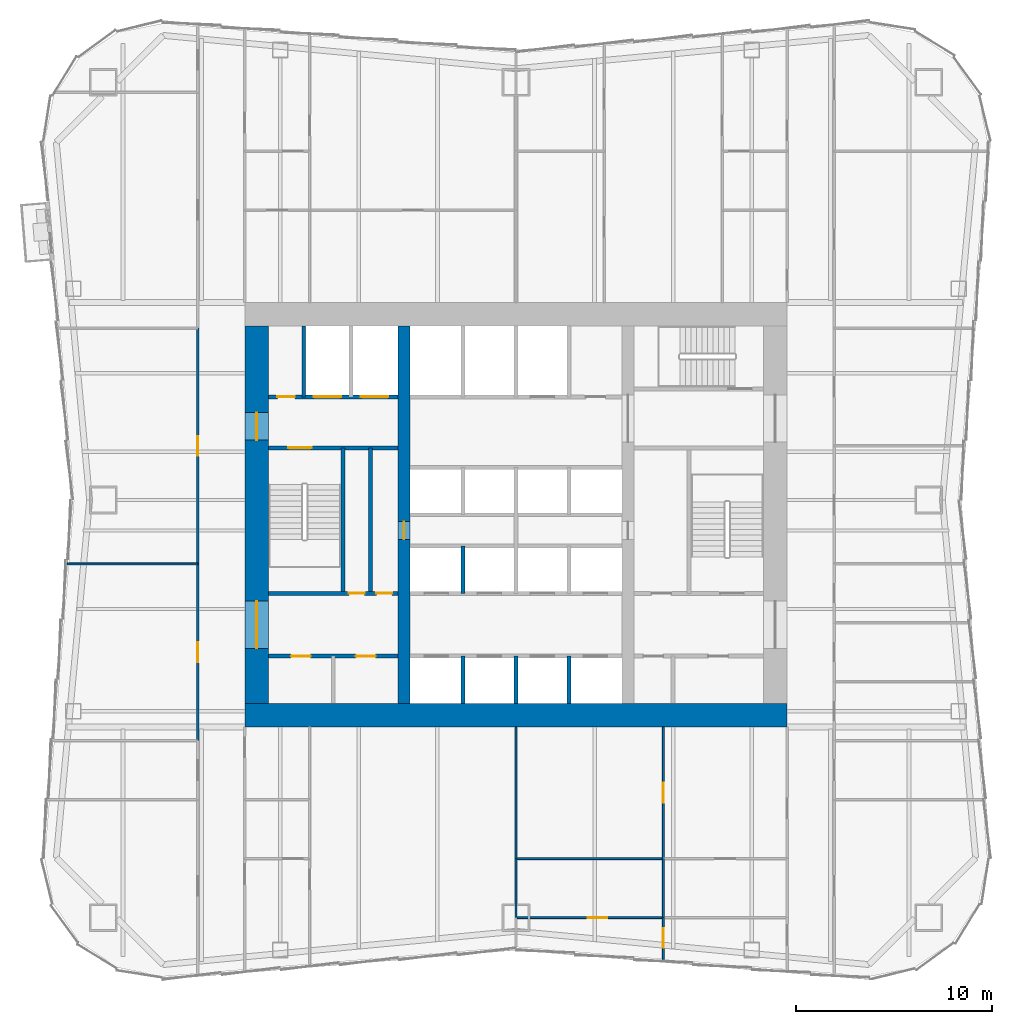
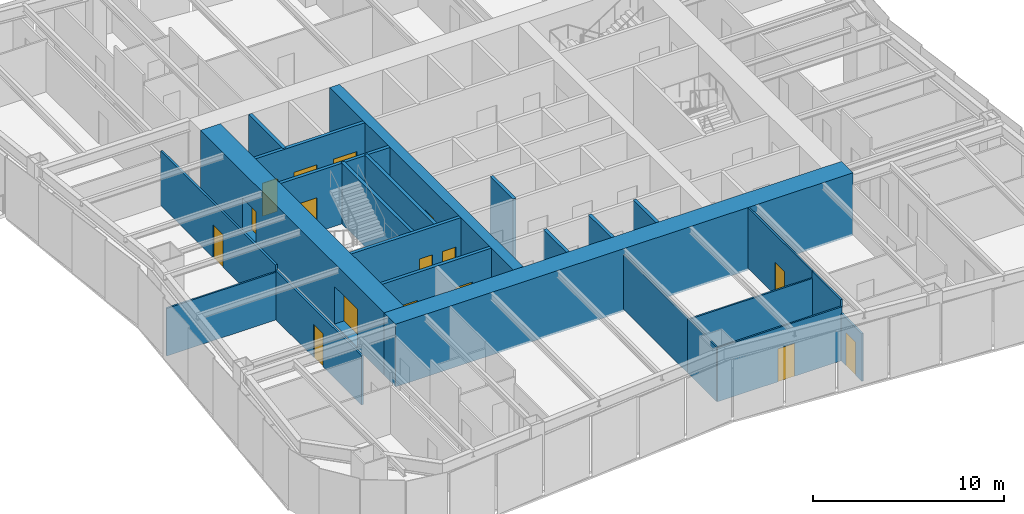
# One storey, part 4 of 9: 24 walls, 16 doors, 16 openings.
"""IFC4 building model written with IfcOpenShell, lengths in metres."""

import ifcopenshell
import ifcopenshell.guid

model = None  # the IFC model being written
_history = None  # IfcOwnerHistory: only IFC2X3 demands one
_inside = {}  # id of a spatial element -> (the spatial element, [elements in it])
_under = {}  # id of a project, library or spatial element -> (it, [spatial elements below it])
_declared = {}  # id of a project -> (the project, [libraries it declares])
_typed = {}  # id of a type object -> (the type object, [elements of that type])
_made_of = {}  # id of a material, layer set ... -> (it, [elements and type objects made of it])


def new_model(schema):
    """Start an empty IFC model of exactly this schema.

    Asked for "IFC4X3", IfcOpenShell would pick the latest addendum, in which some entities
    have other attributes; the version numbers below select the first issue.
    IFC2X3 requires an IfcOwnerHistory on every rooted entity: one is made here for all.
    """
    global model, _history
    if schema == "IFC4X3":
        model = ifcopenshell.file(schema_version=(4, 3, 0, 0))
    else:
        model = ifcopenshell.file(schema=schema)
    _inside.clear()
    _under.clear()
    _declared.clear()
    _typed.clear()
    _made_of.clear()
    _history = None
    if model.schema == "IFC2X3":
        org = make("IfcOrganization", Name="unknown")
        user = make(
            "IfcPersonAndOrganization",
            ThePerson=make("IfcPerson", FamilyName="unknown"),
            TheOrganization=org,
        )
        app = make(
            "IfcApplication",
            ApplicationDeveloper=org,
            Version="unknown",
            ApplicationFullName="unknown",
            ApplicationIdentifier="unknown",
        )
        _history = make(
            "IfcOwnerHistory",
            OwningUser=user,
            OwningApplication=app,
            ChangeAction="ADDED",
            CreationDate=0,
        )
    return model


def make(cls, **values):
    """One entity of the class cls with the attributes given. An attribute that is None is left unset."""
    return model.create_entity(
        cls, **{name: value for name, value in values.items() if value is not None}
    )


def rooted(cls, **values):
    """An entity with a GlobalId (a new one), such as an element, a storey or a relation."""
    return make(cls, GlobalId=ifcopenshell.guid.new(), OwnerHistory=_history, **values)


def si_unit(unit_type, name, prefix=None):
    """IfcSIUnit, for example si_unit("LENGTHUNIT", "METRE", prefix="MILLI")."""
    return make("IfcSIUnit", UnitType=unit_type, Prefix=prefix, Name=name)


def assignment(units):
    """IfcUnitAssignment: the units of a project."""
    return None if units is None else make("IfcUnitAssignment", Units=units)


def point(xyz):
    """IfcCartesianPoint."""
    return None if xyz is None else make("IfcCartesianPoint", Coordinates=xyz)


def direction(xyz):
    """IfcDirection."""
    return None if xyz is None else make("IfcDirection", DirectionRatios=xyz)


def frame(location, z_axis=None, x_axis=None):
    """IfcAxis2Placement3D, a coordinate frame: its origin and axes. An axis left out is left unset."""
    return make(
        "IfcAxis2Placement3D",
        Location=point(location),
        Axis=direction(z_axis),
        RefDirection=direction(x_axis),
    )


def frame_2d(location, x_axis=None):
    """IfcAxis2Placement2D, a coordinate frame in the plane: its origin and x axis."""
    return make(
        "IfcAxis2Placement2D", Location=point(location), RefDirection=direction(x_axis)
    )


def origin():
    """The frame at (0, 0, 0) with its axes left unset."""
    return frame((0.0, 0.0, 0.0))


def place(relative_to, where):
    """IfcLocalPlacement: puts the frame where relative to a parent placement (None: the world)."""
    return make(
        "IfcLocalPlacement", PlacementRelTo=relative_to, RelativePlacement=where
    )


def context(
    kind, dimensions, precision=None, world=None, true_north=None, identifier=None
):
    """IfcGeometricRepresentationContext, for example the 3D "Model" context."""
    return make(
        "IfcGeometricRepresentationContext",
        ContextIdentifier=identifier,
        ContextType=kind,
        CoordinateSpaceDimension=dimensions,
        Precision=precision,
        WorldCoordinateSystem=world,
        TrueNorth=true_north,
    )


def subcontext(parent, identifier, kind, view, scale=None):
    """IfcGeometricRepresentationSubContext, for example "Body" below "Model"."""
    return make(
        "IfcGeometricRepresentationSubContext",
        ContextIdentifier=identifier,
        ContextType=kind,
        ParentContext=parent,
        TargetScale=scale,
        TargetView=view,
    )


def project(units=None, contexts=None):
    """IfcProject with its units and contexts."""
    return rooted(
        "IfcProject",
        Name="project",
        RepresentationContexts=contexts,
        UnitsInContext=assignment(units),
    )


def spatial(cls, under=None, at=None, **own):
    """A site, building, storey or space (cls), placed at a placement, below another one or the project."""
    s = rooted(cls, ObjectPlacement=at, **own)
    if under is not None:
        _under.setdefault(under.id(), (under, []))[1].append(s)
    return s


def profile(cls, at=None, kind="AREA", **sizes):
    """A parametric profile (cls). Its sizes go by their IFC names, for example OverallWidth=200.0."""
    return make(cls, ProfileType=kind, Position=at, **sizes)


def rectangle(**sizes):
    """IfcRectangleProfileDef."""
    return profile("IfcRectangleProfileDef", **sizes)


def extrude(swept, where, along, depth):
    """IfcExtrudedAreaSolid: the profile swept, set in the frame where, extruded along a direction by depth."""
    return make(
        "IfcExtrudedAreaSolid",
        SweptArea=swept,
        Position=where,
        ExtrudedDirection=direction(along),
        Depth=depth,
    )


def shape(context_of_items, identifier, shape_type, items):
    """IfcShapeRepresentation: the items that make up one representation, for example the "Body"."""
    return make(
        "IfcShapeRepresentation",
        ContextOfItems=context_of_items,
        RepresentationIdentifier=identifier,
        RepresentationType=shape_type,
        Items=items,
    )


def material(Name=None, Category=None):
    """IfcMaterial."""
    return make("IfcMaterial", Name=Name, Category=Category)


def layer(
    of_material, thickness, ventilated=None, Name=None, Category=None, Priority=None
):
    """IfcMaterialLayer: one layer of a wall or slab, of a material (None: an air gap)."""
    return make(
        "IfcMaterialLayer",
        Material=of_material,
        LayerThickness=thickness,
        IsVentilated=ventilated,
        Name=Name,
        Category=Category,
        Priority=Priority,
    )


def layer_set(layers, Name=None):
    """IfcMaterialLayerSet."""
    return make("IfcMaterialLayerSet", MaterialLayers=layers, LayerSetName=Name)


def made_of(thing, what):
    """Note that an element or type object is made of a material, layer set ...; save() writes the relation."""
    if what is not None:
        _made_of.setdefault(what.id(), (what, []))[1].append(thing)
    return thing


def type_object(cls, material=None, **own):
    """A type object (cls), such as IfcWallType, which elements share."""
    return made_of(rooted(cls, **own), material)


def element(
    cls,
    number,
    at=None,
    inside=None,
    cuts=None,
    type_object=None,
    material=None,
    context=None,
    identifier="Body",
    shape_type=None,
    held_by="IfcProductDefinitionShape",
    body=None,
    shapes=None,
    **own,
):
    """One element of the class cls, such as IfcWall. Its Tag is "e" and its number.

    at: its placement. inside: the storey or other place that contains it. cuts: it is an
    opening in that element (IfcRelVoidsElement). A single representation is given by context,
    identifier, shape_type and body (its items); several are given by shapes. held_by: the class
    of the entity that holds the representations. save() writes the other relations.
    """
    e = rooted(cls, Tag="e%d" % number, ObjectPlacement=at, **own)
    if body is not None:
        shapes = [shape(context, identifier, shape_type, body)]
    if shapes is not None:
        e.Representation = make(held_by, Representations=shapes)
    if inside is not None:
        _inside.setdefault(inside.id(), (inside, []))[1].append(e)
    if cuts is not None:
        rooted(
            "IfcRelVoidsElement", RelatingBuildingElement=cuts, RelatedOpeningElement=e
        )
    if type_object is not None:
        _typed.setdefault(type_object.id(), (type_object, []))[1].append(e)
    return made_of(e, material)


def fill(opening, filler):
    """IfcRelFillsElement: the door or window that sits in an opening."""
    return rooted(
        "IfcRelFillsElement",
        RelatingOpeningElement=opening,
        RelatedBuildingElement=filler,
    )


def aggregate(whole, parts):
    """IfcRelAggregates: a whole, such as a stair, and the parts it consists of."""
    return rooted("IfcRelAggregates", RelatingObject=whole, RelatedObjects=parts)


def save(model, path):
    """Write the relations noted so far, then the file.

    IfcRelAggregates (storeys below a building ...), IfcRelContainedInSpatialStructure (elements
    in a storey), IfcRelDefinesByType, IfcRelAssociatesMaterial and IfcRelDeclares: one each for
    every whole, place, type object, material and project.
    """
    for whole, parts in _under.values():
        aggregate(whole, parts)
    for where, things in _inside.values():
        rooted(
            "IfcRelContainedInSpatialStructure",
            RelatedElements=things,
            RelatingStructure=where,
        )
    for kind, things in _typed.values():
        rooted("IfcRelDefinesByType", RelatedObjects=things, RelatingType=kind)
    for what, things in _made_of.values():
        rooted("IfcRelAssociatesMaterial", RelatedObjects=things, RelatingMaterial=what)
    for by, libraries in _declared.values():
        rooted("IfcRelDeclares", RelatingContext=by, RelatedDefinitions=libraries)
    model.write(path)


model = new_model("IFC4")

# Units and contexts
model_context = context("Model", 3, precision=1e-05, world=origin(), true_north=direction((0.0, 1.0)))
body_context = subcontext(model_context, "Body", "Model", "MODEL_VIEW")
ifc_project = project(units=[si_unit("LENGTHUNIT", "METRE"), si_unit("AREAUNIT", "SQUARE_METRE"), si_unit("VOLUMEUNIT", "CUBIC_METRE"), si_unit("PLANEANGLEUNIT", "RADIAN"), si_unit("MASSUNIT", "GRAM", prefix="KILO")], contexts=[model_context])

# Site, building, storey
site_placement = place(None, origin())
site = spatial("IfcSite", under=ifc_project, at=site_placement, CompositionType="ELEMENT")
building_placement = place(site_placement, origin())
building = spatial("IfcBuilding", under=site, at=building_placement, Name="Verdant Reach Tower", CompositionType="ELEMENT")
storey_placement = place(building_placement, frame((0.0, 0.0, 90.0)))
storey = spatial("IfcBuildingStorey", under=building, at=storey_placement, Name="L20", CompositionType="ELEMENT", Elevation=90.0)

# Wall, openings, doors
ifc_material_1 = material(Name="Gypsum board on steel studs", Category="steel")
ifc_layer_1 = layer(ifc_material_1, 0.199951171875)
ifc_layer_set_1 = layer_set([ifc_layer_1], Name="CO-WALL-ROOM")
wall_type_1 = type_object("IfcWallType", Name="CO-WALL-ROOM", PredefinedType="PARTITIONING", material=ifc_layer_set_1)
wall_1_placement = place(storey_placement, frame((-12.60009765625, 20.800048828125, 0.0), z_axis=(0.0, 0.0, 1.0), x_axis=(1.0, 0.0, 0.0)))
wall_1 = element("IfcWall", 1, at=wall_1_placement, inside=storey, type_object=wall_type_1, Name="Core partition, L20", PredefinedType="PARTITIONING", context=body_context, shape_type="SweptSolid", body=[
    extrude(rectangle(XDim=6.60009765625, YDim=0.199951171875, at=frame_2d((3.300048828125, 0.0))), origin(), (0.0, 0.0, 1.0), 3.8701171875),
])
opening_1_placement = place(wall_1_placement, frame((1.14990234375, 0.0, 0.0)))
opening_1 = element("IfcOpeningElement", 2, at=opening_1_placement, cuts=wall_1, Name="Opening CD", PredefinedType="OPENING", context=body_context, shape_type="SweptSolid", body=[
    extrude(rectangle(XDim=1.0, YDim=2.10009765625, at=frame_2d((0.5, 1.050048828125))), frame((0.0, 0.10986328125, 0.0), z_axis=(0.0, -1.0, 0.0), x_axis=(1.0, 0.0, 0.0)), (0.0, 0.0, 1.0), 0.219970703125),
])
opening_2_placement = place(wall_1_placement, frame((4.449951171875, 0.0, 0.0)))
opening_2 = element("IfcOpeningElement", 3, at=opening_2_placement, cuts=wall_1, Name="Opening CD", PredefinedType="OPENING", context=body_context, shape_type="SweptSolid", body=[
    extrude(rectangle(XDim=1.0, YDim=2.10009765625, at=frame_2d((0.5, 1.050048828125))), frame((0.0, 0.10986328125, 0.0), z_axis=(0.0, -1.0, 0.0), x_axis=(1.0, 0.0, 0.0)), (0.0, 0.0, 1.0), 0.219970703125),
])
ifc_material_2 = material(Name="Timber", Category="wood")
door_type_1 = type_object("IfcDoorType", Name="CO-DOOR-ROOM", OperationType="NOTDEFINED", PredefinedType="DOOR", material=ifc_material_2)
door_1_placement = place(opening_1_placement, origin())
door_1 = element("IfcDoor", 4, at=door_1_placement, inside=storey, type_object=door_type_1, Name="Core room door, L20", OperationType="SINGLE_SWING_LEFT", OverallHeight=2.10009765625, OverallWidth=1.0, PredefinedType="DOOR", context=body_context, shape_type="SweptSolid", body=[
    extrude(rectangle(XDim=1.0, YDim=2.10009765625, at=frame_2d((0.5, 1.050048828125))), frame((0.0, 0.02490234375, 0.0), z_axis=(0.0, -1.0, 0.0), x_axis=(1.0, 0.0, 0.0)), (0.0, 0.0, 1.0), 0.050048828125),
])
fill(opening_1, door_1)
door_2_placement = place(opening_2_placement, origin())
door_2 = element("IfcDoor", 5, at=door_2_placement, inside=storey, type_object=door_type_1, Name="Core room door, L20", OperationType="SINGLE_SWING_LEFT", OverallHeight=2.10009765625, OverallWidth=1.0, PredefinedType="DOOR", context=body_context, shape_type="SweptSolid", body=[
    extrude(rectangle(XDim=1.0, YDim=2.10009765625, at=frame_2d((0.5, 1.050048828125))), frame((0.0, 0.02490234375, 0.0), z_axis=(0.0, -1.0, 0.0), x_axis=(1.0, 0.0, 0.0)), (0.0, 0.0, 1.0), 0.050048828125),
])
fill(opening_2, door_2)

# Wall
wall_2_placement = place(storey_placement, frame((-7.39990234375, 24.0, 0.0), z_axis=(0.0, 0.0, 1.0), x_axis=(0.0, 1.0, 0.0)))
element("IfcWall", 6, at=wall_2_placement, inside=storey, type_object=wall_type_1, Name="Core partition, L20", PredefinedType="PARTITIONING", context=body_context, shape_type="SweptSolid", body=[
    extrude(rectangle(XDim=7.39990234375, YDim=0.199951171875, at=frame_2d((3.699951171875, 0.0))), origin(), (0.0, 0.0, 1.0), 3.8701171875),
])

# Wall, openings, doors
ifc_material_3 = material(Name="Concrete C40/50", Category="concrete")
ifc_layer_2 = layer(ifc_material_3, 0.199951171875)
ifc_layer_set_2 = layer_set([ifc_layer_2], Name="CO-WALL-SHAFT")
wall_type_2 = type_object("IfcWallType", Name="CO-WALL-SHAFT", PredefinedType="PARTITIONING", material=ifc_layer_set_2)
wall_3_placement = place(storey_placement, frame((-12.60009765625, 34.0, 0.0), z_axis=(0.0, 0.0, 1.0), x_axis=(1.0, 0.0, 0.0)))
wall_3 = element("IfcWall", 7, at=wall_3_placement, inside=storey, type_object=wall_type_2, Name="Lift shaft wall, L20", PredefinedType="PARTITIONING", context=body_context, shape_type="SweptSolid", body=[
    extrude(rectangle(XDim=6.60009765625, YDim=0.199951171875, at=frame_2d((3.300048828125, 0.0))), origin(), (0.0, 0.0, 1.0), 3.8701171875),
])
opening_3_placement = place(wall_3_placement, frame((4.699951171875, 0.0, 0.0)))
opening_3 = element("IfcOpeningElement", 8, at=opening_3_placement, cuts=wall_3, Name="Opening LD-F1", PredefinedType="OPENING", context=body_context, shape_type="SweptSolid", body=[
    extrude(rectangle(XDim=1.39990234375, YDim=2.199951171875, at=frame_2d((0.699951171875, 1.10009765625))), frame((0.0, 0.10986328125, 0.0), z_axis=(0.0, -1.0, 0.0), x_axis=(1.0, 0.0, 0.0)), (0.0, 0.0, 1.0), 0.219970703125),
])
opening_4_placement = place(wall_3_placement, frame((2.300048828125, 0.0, 0.0)))
opening_4 = element("IfcOpeningElement", 9, at=opening_4_placement, cuts=wall_3, Name="Opening LD-F2", PredefinedType="OPENING", context=body_context, shape_type="SweptSolid", body=[
    extrude(rectangle(XDim=1.39990234375, YDim=2.199951171875, at=frame_2d((0.699951171875, 1.10009765625))), frame((0.0, 0.10986328125, 0.0), z_axis=(0.0, -1.0, 0.0), x_axis=(1.0, 0.0, 0.0)), (0.0, 0.0, 1.0), 0.219970703125),
])
opening_5_placement = place(wall_3_placement, frame((0.449951171875, 0.0, 0.0)))
opening_5 = element("IfcOpeningElement", 10, at=opening_5_placement, cuts=wall_3, Name="Opening RD", PredefinedType="OPENING", context=body_context, shape_type="SweptSolid", body=[
    extrude(rectangle(XDim=0.89990234375, YDim=2.10009765625, at=frame_2d((0.449951171875, 1.050048828125))), frame((0.0, 0.10986328125, 0.0), z_axis=(0.0, -1.0, 0.0), x_axis=(1.0, 0.0, 0.0)), (0.0, 0.0, 1.0), 0.219970703125),
])
ifc_material_4 = material(Name="Stainless steel", Category="steel")
door_type_2 = type_object("IfcDoorType", Name="CO-DOOR-LANDING-FF", OperationType="SLIDING_TO_LEFT", PredefinedType="DOOR", material=ifc_material_4)
door_3_placement = place(opening_3_placement, origin())
door_3 = element("IfcDoor", 11, at=door_3_placement, inside=storey, type_object=door_type_2, Name="Landing door F1, L20", OperationType="SLIDING_TO_LEFT", OverallHeight=2.199951171875, OverallWidth=1.39990234375, PredefinedType="DOOR", context=body_context, shape_type="SweptSolid", body=[
    extrude(rectangle(XDim=1.39990234375, YDim=2.199951171875, at=frame_2d((0.699951171875, 1.10009765625))), frame((0.0, 0.02490234375, 0.0), z_axis=(0.0, -1.0, 0.0), x_axis=(1.0, 0.0, 0.0)), (0.0, 0.0, 1.0), 0.050048828125),
])
fill(opening_3, door_3)
door_4_placement = place(opening_4_placement, origin())
door_4 = element("IfcDoor", 12, at=door_4_placement, inside=storey, type_object=door_type_2, Name="Landing door F2, L20", OperationType="SLIDING_TO_LEFT", OverallHeight=2.199951171875, OverallWidth=1.39990234375, PredefinedType="DOOR", context=body_context, shape_type="SweptSolid", body=[
    extrude(rectangle(XDim=1.39990234375, YDim=2.199951171875, at=frame_2d((0.699951171875, 1.10009765625))), frame((0.0, 0.02490234375, 0.0), z_axis=(0.0, -1.0, 0.0), x_axis=(1.0, 0.0, 0.0)), (0.0, 0.0, 1.0), 0.050048828125),
])
fill(opening_4, door_4)
ifc_material_5 = material(Name="Steel", Category="steel")
door_type_3 = type_object("IfcDoorType", Name="CO-DOOR-RISER", OperationType="NOTDEFINED", PredefinedType="DOOR", material=ifc_material_5)
door_5_placement = place(opening_5_placement, origin())
door_5 = element("IfcDoor", 13, at=door_5_placement, inside=storey, type_object=door_type_3, Name="Core room door, L20", OperationType="SINGLE_SWING_RIGHT", OverallHeight=2.10009765625, OverallWidth=0.89990234375, PredefinedType="DOOR", context=body_context, shape_type="SweptSolid", body=[
    extrude(rectangle(XDim=0.89990234375, YDim=2.10009765625, at=frame_2d((0.449951171875, 1.050048828125))), frame((0.0, 0.02490234375, 0.0), z_axis=(0.0, -1.0, 0.0), x_axis=(1.0, 0.0, 0.0)), (0.0, 0.0, 1.0), 0.050048828125),
])
fill(opening_5, door_5)

# Walls
wall_4_placement = place(storey_placement, frame((-10.800048828125, 34.0, 0.0), z_axis=(0.0, 0.0, 1.0), x_axis=(0.0, 1.0, 0.0)))
element("IfcWall", 14, at=wall_4_placement, inside=storey, type_object=wall_type_2, Name="Lift shaft wall, L20", PredefinedType="PARTITIONING", context=body_context, shape_type="SweptSolid", body=[
    extrude(rectangle(XDim=3.60009765625, YDim=0.199951171875, at=frame_2d((1.800048828125, 0.0))), origin(), (0.0, 0.0, 1.0), 3.8701171875),
])
wall_5_placement = place(storey_placement, frame((-2.699951171875, 18.39990234375, 0.0), z_axis=(0.0, 0.0, 1.0), x_axis=(0.0, 1.0, 0.0)))
element("IfcWall", 15, at=wall_5_placement, inside=storey, type_object=wall_type_2, Name="Lift shaft wall, L20", PredefinedType="PARTITIONING", context=body_context, shape_type="SweptSolid", body=[
    extrude(rectangle(XDim=2.400146484375, YDim=0.199951171875, at=frame_2d((1.2001953125, 0.0))), origin(), (0.0, 0.0, 1.0), 3.8701171875),
])
wall_6_placement = place(storey_placement, frame((-2.699951171875, 24.0, 0.0), z_axis=(0.0, 0.0, 1.0), x_axis=(0.0, 1.0, 0.0)))
element("IfcWall", 16, at=wall_6_placement, inside=storey, type_object=wall_type_2, Name="Lift shaft wall, L20", PredefinedType="PARTITIONING", context=body_context, shape_type="SweptSolid", body=[
    extrude(rectangle(XDim=2.39990234375, YDim=0.199951171875, at=frame_2d((1.199951171875, 0.0))), origin(), (0.0, 0.0, 1.0), 3.8701171875),
])
for number, where, z_axis, x_axis, name in (
    (17, (0.0, 18.39990234375, 0.0), (0.0, 0.0, 1.0), (0.0, 1.0, 0.0), "Lift shaft wall, L20"),
    (18, (2.699951171875, 18.39990234375, 0.0), (0.0, 0.0, 1.0), (0.0, 1.0, 0.0), "Lift shaft wall, L20"),
):
    element("IfcWall", number, at=place(storey_placement, frame(where, z_axis=z_axis, x_axis=x_axis)), inside=storey, type_object=wall_type_2, Name=name, PredefinedType="PARTITIONING", context=body_context, shape_type="SweptSolid", body=[
        extrude(rectangle(XDim=2.400146484375, YDim=0.199951171875, at=frame_2d((1.2001953125, 0.0))), origin(), (0.0, 0.0, 1.0), 3.8701171875),
    ])

# Wall, openings, doors
ifc_layer_3 = layer(ifc_material_3, 0.199951171875)
ifc_layer_set_3 = layer_set([ifc_layer_3], Name="CO-WALL-STAIR")
wall_type_3 = type_object("IfcWallType", Name="CO-WALL-STAIR", PredefinedType="PARTITIONING", material=ifc_layer_set_3)
wall_7_placement = place(storey_placement, frame((-12.60009765625, 24.0, 0.0), z_axis=(0.0, 0.0, 1.0), x_axis=(1.0, 0.0, 0.0)))
wall_7 = element("IfcWall", 19, at=wall_7_placement, inside=storey, type_object=wall_type_3, Name="Stair enclosure wall, L20", PredefinedType="PARTITIONING", context=body_context, shape_type="SweptSolid", body=[
    extrude(rectangle(XDim=6.60009765625, YDim=0.199951171875, at=frame_2d((3.300048828125, 0.0))), origin(), (0.0, 0.0, 1.0), 3.8701171875),
])
opening_6_placement = place(wall_7_placement, frame((4.10009765625, 0.0, 0.0)))
opening_6 = element("IfcOpeningElement", 20, at=opening_6_placement, cuts=wall_7, Name="Opening CDN", PredefinedType="OPENING", context=body_context, shape_type="SweptSolid", body=[
    extrude(rectangle(XDim=0.800048828125, YDim=2.10009765625, at=frame_2d((0.39990234375, 1.050048828125))), frame((0.0, 0.10986328125, 0.0), z_axis=(0.0, -1.0, 0.0), x_axis=(1.0, 0.0, 0.0)), (0.0, 0.0, 1.0), 0.219970703125),
])
opening_7_placement = place(wall_7_placement, frame((5.5, 0.0, 0.0)))
opening_7 = element("IfcOpeningElement", 21, at=opening_7_placement, cuts=wall_7, Name="Opening CDN", PredefinedType="OPENING", context=body_context, shape_type="SweptSolid", body=[
    extrude(rectangle(XDim=0.800048828125, YDim=2.10009765625, at=frame_2d((0.39990234375, 1.050048828125))), frame((0.0, 0.10986328125, 0.0), z_axis=(0.0, -1.0, 0.0), x_axis=(1.0, 0.0, 0.0)), (0.0, 0.0, 1.0), 0.219970703125),
])
door_type_4 = type_object("IfcDoorType", Name="CO-DOOR-ROOM-NARROW", OperationType="NOTDEFINED", PredefinedType="DOOR", material=ifc_material_2)
door_6_placement = place(opening_6_placement, origin())
door_6 = element("IfcDoor", 22, at=door_6_placement, inside=storey, type_object=door_type_4, Name="Core room door, L20", OperationType="SINGLE_SWING_LEFT", OverallHeight=2.10009765625, OverallWidth=0.800048828125, PredefinedType="DOOR", context=body_context, shape_type="SweptSolid", body=[
    extrude(rectangle(XDim=0.800048828125, YDim=2.10009765625, at=frame_2d((0.39990234375, 1.050048828125))), frame((0.0, 0.02490234375, 0.0), z_axis=(0.0, -1.0, 0.0), x_axis=(1.0, 0.0, 0.0)), (0.0, 0.0, 1.0), 0.050048828125),
])
fill(opening_6, door_6)
door_7_placement = place(opening_7_placement, origin())
door_7 = element("IfcDoor", 23, at=door_7_placement, inside=storey, type_object=door_type_4, Name="Core room door, L20", OperationType="SINGLE_SWING_RIGHT", OverallHeight=2.10009765625, OverallWidth=0.800048828125, PredefinedType="DOOR", context=body_context, shape_type="SweptSolid", body=[
    extrude(rectangle(XDim=0.800048828125, YDim=2.10009765625, at=frame_2d((0.39990234375, 1.050048828125))), frame((0.0, 0.02490234375, 0.0), z_axis=(0.0, -1.0, 0.0), x_axis=(1.0, 0.0, 0.0)), (0.0, 0.0, 1.0), 0.050048828125),
])
fill(opening_7, door_7)

# Wall, opening, door
wall_8_placement = place(storey_placement, frame((-12.60009765625, 31.39990234375, 0.0), z_axis=(0.0, 0.0, 1.0), x_axis=(1.0, 0.0, 0.0)))
wall_8 = element("IfcWall", 24, at=wall_8_placement, inside=storey, type_object=wall_type_3, Name="Stair enclosure wall, L20", PredefinedType="PARTITIONING", context=body_context, shape_type="SweptSolid", body=[
    extrude(rectangle(XDim=6.60009765625, YDim=0.199951171875, at=frame_2d((3.300048828125, 0.0))), origin(), (0.0, 0.0, 1.0), 3.8701171875),
])
opening_8_placement = place(wall_8_placement, frame((1.0, 0.0, 0.0)))
opening_8 = element("IfcOpeningElement", 25, at=opening_8_placement, cuts=wall_8, Name="Opening SD", PredefinedType="OPENING", context=body_context, shape_type="SweptSolid", body=[
    extrude(rectangle(XDim=1.199951171875, YDim=2.199951171875, at=frame_2d((0.60009765625, 1.10009765625))), frame((0.0, 0.10986328125, 0.0), z_axis=(0.0, -1.0, 0.0), x_axis=(1.0, 0.0, 0.0)), (0.0, 0.0, 1.0), 0.219970703125),
])
door_type_5 = type_object("IfcDoorType", Name="CO-DOOR-STAIR", OperationType="NOTDEFINED", PredefinedType="DOOR", material=ifc_material_5)
door_8_placement = place(opening_8_placement, origin())
door_8 = element("IfcDoor", 26, at=door_8_placement, inside=storey, type_object=door_type_5, Name="Stair door, L20", OperationType="SINGLE_SWING_RIGHT", OverallHeight=2.199951171875, OverallWidth=1.199951171875, PredefinedType="DOOR", context=body_context, shape_type="SweptSolid", body=[
    extrude(rectangle(XDim=1.199951171875, YDim=2.199951171875, at=frame_2d((0.60009765625, 1.10009765625))), frame((0.0, 0.02490234375, 0.0), z_axis=(0.0, -1.0, 0.0), x_axis=(1.0, 0.0, 0.0)), (0.0, 0.0, 1.0), 0.050048828125),
])
fill(opening_8, door_8)

# Walls
wall_9_placement = place(storey_placement, frame((-8.800048828125, 24.0, 0.0), z_axis=(0.0, 0.0, 1.0), x_axis=(0.0, 1.0, 0.0)))
element("IfcWall", 27, at=wall_9_placement, inside=storey, type_object=wall_type_3, Name="Stair enclosure wall, L20", PredefinedType="PARTITIONING", context=body_context, shape_type="SweptSolid", body=[
    extrude(rectangle(XDim=7.39990234375, YDim=0.199951171875, at=frame_2d((3.699951171875, 0.0))), origin(), (0.0, 0.0, 1.0), 3.8701171875),
])
ifc_layer_4 = layer(ifc_material_1, 0.10009765625)
ifc_layer_set_4 = layer_set([ifc_layer_4], Name="FL-W1 Partition 100")
wall_type_4 = type_object("IfcWallType", Name="FL-W1 Partition 100", PredefinedType="PARTITIONING", material=ifc_layer_set_4)
wall_10_placement = place(storey_placement, frame((-16.199951171875, 25.5, 0.0), z_axis=(0.0, 0.0, 1.0), x_axis=(-1.0, 0.0, 0.0)))
element("IfcWall", 28, at=wall_10_placement, inside=storey, type_object=wall_type_4, Name="Partition 20.30", PredefinedType="PARTITIONING", context=body_context, shape_type="SweptSolid", body=[
    extrude(rectangle(XDim=6.647216796875, YDim=0.10009765625, at=frame_2d((3.32373046875, 0.0))), origin(), (0.0, 0.0, 1.0), 3.0400390625),
])
wall_11_placement = place(storey_placement, frame((0.0, 7.5, 0.0), z_axis=(0.0, 0.0, 1.0), x_axis=(0.0, 1.0, 0.0)))
element("IfcWall", 29, at=wall_11_placement, inside=storey, type_object=wall_type_4, Name="Partition 20.47", PredefinedType="PARTITIONING", context=body_context, shape_type="SweptSolid", body=[
    extrude(rectangle(XDim=3.0, YDim=0.10009765625, at=frame_2d((1.5, 0.0))), origin(), (0.0, 0.0, 1.0), 3.47998046875),
])
wall_12_placement = place(storey_placement, frame((0.0, 10.5, 0.0), z_axis=(0.0, 0.0, 1.0), x_axis=(0.0, 1.0, 0.0)))
element("IfcWall", 30, at=wall_12_placement, inside=storey, type_object=wall_type_4, Name="Partition 20.48", PredefinedType="PARTITIONING", context=body_context, shape_type="SweptSolid", body=[
    extrude(rectangle(XDim=6.699951171875, YDim=0.10009765625, at=frame_2d((3.35009765625, 0.0))), origin(), (0.0, 0.0, 1.0), 3.47998046875),
])

# Wall, opening, door
wall_13_placement = place(storey_placement, frame((7.5, 5.294921875, 0.0), z_axis=(0.0, 0.0, 1.0), x_axis=(0.0, 1.0, 0.0)))
wall_13 = element("IfcWall", 31, at=wall_13_placement, inside=storey, type_object=wall_type_4, Name="Partition 20.50", PredefinedType="PARTITIONING", context=body_context, shape_type="SweptSolid", body=[
    extrude(rectangle(XDim=2.205078125, YDim=0.10009765625, at=frame_2d((1.1025390625, 0.0))), origin(), (0.0, 0.0, 1.0), 3.0400390625),
])
opening_9_placement = place(wall_13_placement, frame((0.66748046875, 0.0, 0.0)))
opening_9 = element("IfcOpeningElement", 32, at=opening_9_placement, cuts=wall_13, Name="Opening D3", PredefinedType="OPENING", context=body_context, shape_type="SweptSolid", body=[
    extrude(rectangle(XDim=1.0, YDim=2.10009765625, at=frame_2d((0.5, 1.050048828125))), frame((0.0, 0.06005859375, 0.0), z_axis=(0.0, -1.0, 0.0), x_axis=(1.0, 0.0, 0.0)), (0.0, 0.0, 1.0), 0.1201171875),
])
ifc_material_6 = material(Name="Painted timber door leaf", Category="wood")
door_type_6 = type_object("IfcDoorType", Name="FL-D3 Door 1000x2100", OperationType="NOTDEFINED", PredefinedType="DOOR", material=ifc_material_6)
door_9_placement = place(opening_9_placement, origin())
door_9 = element("IfcDoor", 33, at=door_9_placement, inside=storey, type_object=door_type_6, Name="Door 20-025", OperationType="SINGLE_SWING_RIGHT", OverallHeight=2.10009765625, OverallWidth=1.0, PredefinedType="DOOR", context=body_context, shape_type="SweptSolid", body=[
    extrude(rectangle(XDim=1.0, YDim=2.10009765625, at=frame_2d((0.5, 1.050048828125))), frame((0.0, 0.02490234375, 0.0), z_axis=(0.0, -1.0, 0.0), x_axis=(1.0, 0.0, 0.0)), (0.0, 0.0, 1.0), 0.050048828125),
])
fill(opening_9, door_9)

# Wall
wall_14_placement = place(storey_placement, frame((7.5, 10.5, 0.0), z_axis=(0.0, 0.0, 1.0), x_axis=(0.0, -1.0, 0.0)))
element("IfcWall", 34, at=wall_14_placement, inside=storey, type_object=wall_type_4, Name="Partition 20.52", PredefinedType="PARTITIONING", context=body_context, shape_type="SweptSolid", body=[
    extrude(rectangle(XDim=3.0, YDim=0.10009765625, at=frame_2d((1.5, 0.0))), origin(), (0.0, 0.0, 1.0), 3.8701171875),
])

# Wall, opening, door
wall_15_placement = place(storey_placement, frame((7.5, 10.5, 0.0), z_axis=(0.0, 0.0, 1.0), x_axis=(0.0, 1.0, 0.0)))
wall_15 = element("IfcWall", 35, at=wall_15_placement, inside=storey, type_object=wall_type_4, Name="Partition 20.53", PredefinedType="PARTITIONING", context=body_context, shape_type="SweptSolid", body=[
    extrude(rectangle(XDim=6.699951171875, YDim=0.10009765625, at=frame_2d((3.35009765625, 0.0))), origin(), (0.0, 0.0, 1.0), 3.8701171875),
])
opening_10_placement = place(wall_15_placement, frame((2.85009765625, 0.0, 0.0)))
opening_10 = element("IfcOpeningElement", 36, at=opening_10_placement, cuts=wall_15, Name="Opening D3", PredefinedType="OPENING", context=body_context, shape_type="SweptSolid", body=[
    extrude(rectangle(XDim=1.0, YDim=2.10009765625, at=frame_2d((0.5, 1.050048828125))), frame((0.0, 0.06005859375, 0.0), z_axis=(0.0, -1.0, 0.0), x_axis=(1.0, 0.0, 0.0)), (0.0, 0.0, 1.0), 0.1201171875),
])
door_10_placement = place(opening_10_placement, origin())
door_10 = element("IfcDoor", 37, at=door_10_placement, inside=storey, type_object=door_type_6, Name="Door 20-027", OperationType="SINGLE_SWING_LEFT", OverallHeight=2.10009765625, OverallWidth=1.0, PredefinedType="DOOR", context=body_context, shape_type="SweptSolid", body=[
    extrude(rectangle(XDim=1.0, YDim=2.10009765625, at=frame_2d((0.5, 1.050048828125))), frame((0.0, 0.02490234375, 0.0), z_axis=(0.0, -1.0, 0.0), x_axis=(1.0, 0.0, 0.0)), (0.0, 0.0, 1.0), 0.050048828125),
])
fill(opening_10, door_10)

wall_16_placement = place(storey_placement, frame((0.0, 7.5, 0.0), z_axis=(0.0, 0.0, 1.0), x_axis=(1.0, 0.0, 0.0)))
wall_16 = element("IfcWall", 38, at=wall_16_placement, inside=storey, type_object=wall_type_4, Name="Partition 20.54", PredefinedType="PARTITIONING", context=body_context, shape_type="SweptSolid", body=[
    extrude(rectangle(XDim=7.5, YDim=0.10009765625, at=frame_2d((3.75, 0.0))), origin(), (0.0, 0.0, 1.0), 3.43994140625),
])
opening_11_placement = place(wall_16_placement, frame((3.64990234375, 0.0, 0.0)))
opening_11 = element("IfcOpeningElement", 39, at=opening_11_placement, cuts=wall_16, Name="Opening D3", PredefinedType="OPENING", context=body_context, shape_type="SweptSolid", body=[
    extrude(rectangle(XDim=1.0, YDim=2.10009765625, at=frame_2d((0.5, 1.050048828125))), frame((0.0, 0.06005859375, 0.0), z_axis=(0.0, -1.0, 0.0), x_axis=(1.0, 0.0, 0.0)), (0.0, 0.0, 1.0), 0.1201171875),
])
door_11_placement = place(opening_11_placement, origin())
door_11 = element("IfcDoor", 40, at=door_11_placement, inside=storey, type_object=door_type_6, Name="Door 20-028", OperationType="SINGLE_SWING_RIGHT", OverallHeight=2.10009765625, OverallWidth=1.0, PredefinedType="DOOR", context=body_context, shape_type="SweptSolid", body=[
    extrude(rectangle(XDim=1.0, YDim=2.10009765625, at=frame_2d((0.5, 1.050048828125))), frame((0.0, 0.02490234375, 0.0), z_axis=(0.0, -1.0, 0.0), x_axis=(1.0, 0.0, 0.0)), (0.0, 0.0, 1.0), 0.050048828125),
])
fill(opening_11, door_11)

# Wall
wall_17_placement = place(storey_placement, frame((7.5, 10.5, 0.0), z_axis=(0.0, 0.0, 1.0), x_axis=(-1.0, 0.0, 0.0)))
element("IfcWall", 41, at=wall_17_placement, inside=storey, type_object=wall_type_4, Name="Partition 20.55", PredefinedType="PARTITIONING", context=body_context, shape_type="SweptSolid", body=[
    extrude(rectangle(XDim=7.5, YDim=0.10009765625, at=frame_2d((3.75, 0.0))), origin(), (0.0, 0.0, 1.0), 3.43994140625),
])

# Wall, opening, door
ifc_material_7 = material(Name="Gypsum board on steel studs, fire rated", Category="steel")
ifc_layer_5 = layer(ifc_material_7, 0.125)
ifc_layer_set_5 = layer_set([ifc_layer_5], Name="FL-W2 Corridor wall 125")
wall_type_5 = type_object("IfcWallType", Name="FL-W2 Corridor wall 125", PredefinedType="PARTITIONING", material=ifc_layer_set_5)
wall_18_placement = place(storey_placement, frame((-16.199951171875, 16.5, 0.0), z_axis=(0.0, 0.0, 1.0), x_axis=(0.0, 1.0, 0.0)))
wall_18 = element("IfcWall", 42, at=wall_18_placement, inside=storey, type_object=wall_type_5, Name="Partition 20.03", PredefinedType="PARTITIONING", context=body_context, shape_type="SweptSolid", body=[
    extrude(rectangle(XDim=9.0, YDim=0.125, at=frame_2d((4.5, 0.0))), origin(), (0.0, 0.0, 1.0), 3.139892578125),
])
opening_12_placement = place(wall_18_placement, frame((4.0, 0.0, 0.0)))
opening_12 = element("IfcOpeningElement", 43, at=opening_12_placement, cuts=wall_18, Name="Opening D2", PredefinedType="OPENING", context=body_context, shape_type="SweptSolid", body=[
    extrude(rectangle(XDim=1.0, YDim=2.10009765625, at=frame_2d((0.5, 1.050048828125))), frame((0.0, 0.072509765625, 0.0), z_axis=(0.0, -1.0, 0.0), x_axis=(1.0, 0.0, 0.0)), (0.0, 0.0, 1.0), 0.14501953125),
])
ifc_material_8 = material(Name="Timber door leaf, fire rated", Category="wood")
door_type_7 = type_object("IfcDoorType", Name="FL-D2 Entrance door 1000x2100 FD30", OperationType="NOTDEFINED", PredefinedType="DOOR", material=ifc_material_8)
door_12_placement = place(opening_12_placement, origin())
door_12 = element("IfcDoor", 44, at=door_12_placement, inside=storey, type_object=door_type_7, Name="Door 20-003", OperationType="SINGLE_SWING_LEFT", OverallHeight=2.10009765625, OverallWidth=1.0, PredefinedType="DOOR", context=body_context, shape_type="SweptSolid", body=[
    extrude(rectangle(XDim=1.0, YDim=2.10009765625, at=frame_2d((0.5, 1.050048828125))), frame((0.0, 0.02490234375, 0.0), z_axis=(0.0, -1.0, 0.0), x_axis=(1.0, 0.0, 0.0)), (0.0, 0.0, 1.0), 0.050048828125),
])
fill(opening_12, door_12)

wall_19_placement = place(storey_placement, frame((-16.199951171875, 25.5, 0.0), z_axis=(0.0, 0.0, 1.0), x_axis=(0.0, 1.0, 0.0)))
wall_19 = element("IfcWall", 45, at=wall_19_placement, inside=storey, type_object=wall_type_5, Name="Partition 20.04", PredefinedType="PARTITIONING", context=body_context, shape_type="SweptSolid", body=[
    extrude(rectangle(XDim=12.0, YDim=0.125, at=frame_2d((6.0, 0.0))), origin(), (0.0, 0.0, 1.0), 3.47998046875),
])
opening_13_placement = place(wall_19_placement, frame((5.5, 0.0, 0.0)))
opening_13 = element("IfcOpeningElement", 46, at=opening_13_placement, cuts=wall_19, Name="Opening D2", PredefinedType="OPENING", context=body_context, shape_type="SweptSolid", body=[
    extrude(rectangle(XDim=1.0, YDim=2.10009765625, at=frame_2d((0.5, 1.050048828125))), frame((0.0, 0.072509765625, 0.0), z_axis=(0.0, -1.0, 0.0), x_axis=(1.0, 0.0, 0.0)), (0.0, 0.0, 1.0), 0.14501953125),
])
door_13_placement = place(opening_13_placement, origin())
door_13 = element("IfcDoor", 47, at=door_13_placement, inside=storey, type_object=door_type_7, Name="Door 20-004", OperationType="SINGLE_SWING_RIGHT", OverallHeight=2.10009765625, OverallWidth=1.0, PredefinedType="DOOR", context=body_context, shape_type="SweptSolid", body=[
    extrude(rectangle(XDim=1.0, YDim=2.10009765625, at=frame_2d((0.5, 1.050048828125))), frame((0.0, 0.02490234375, 0.0), z_axis=(0.0, -1.0, 0.0), x_axis=(1.0, 0.0, 0.0)), (0.0, 0.0, 1.0), 0.050048828125),
])
fill(opening_13, door_13)

# Wall
ifc_material_9 = material(Name="Concrete C70/85", Category="concrete")
ifc_layer_6 = layer(ifc_material_9, 1.199951171875)
ifc_layer_set_6 = layer_set([ifc_layer_6], Name="ST-CORE-WALL-1200")
wall_type_6 = type_object("IfcWallType", Name="ST-CORE-WALL-1200", PredefinedType="SHEAR", material=ifc_layer_set_6)
wall_20_placement = place(storey_placement, frame((-13.800048828125, 17.800048828125, -0.1298828125), z_axis=(0.0, 0.0, 1.0), x_axis=(1.0, 0.0, 0.0)))
element("IfcWall", 48, at=wall_20_placement, inside=storey, type_object=wall_type_6, Name="Core wall S, L20", PredefinedType="SHEAR", context=body_context, shape_type="SweptSolid", body=[
    extrude(rectangle(XDim=27.60009765625, YDim=1.199951171875, at=frame_2d((13.800048828125, 0.0))), origin(), (0.0, 0.0, 1.0), 4.0),
])

# Wall, openings, doors
wall_21_placement = place(storey_placement, frame((-13.199951171875, 18.39990234375, -0.1298828125), z_axis=(0.0, 0.0, 1.0), x_axis=(0.0, 1.0, 0.0)))
wall_21 = element("IfcWall", 49, at=wall_21_placement, inside=storey, type_object=wall_type_6, Name="Core wall W, L20", PredefinedType="SHEAR", context=body_context, shape_type="SweptSolid", body=[
    extrude(rectangle(XDim=19.2001953125, YDim=1.199951171875, at=frame_2d((9.60009765625, 0.0))), origin(), (0.0, 0.0, 1.0), 4.0),
])
opening_14_placement = place(wall_21_placement, frame((2.800048828125, 0.0, 0.1298828125)))
opening_14 = element("IfcOpeningElement", 50, at=opening_14_placement, cuts=wall_21, Name="Opening LB", PredefinedType="OPENING", context=body_context, shape_type="SweptSolid", body=[
    extrude(rectangle(XDim=2.39990234375, YDim=2.39990234375, at=frame_2d((1.199951171875, 1.199951171875))), frame((0.0, 0.60986328125, 0.0), z_axis=(0.0, -1.0, 0.0), x_axis=(1.0, 0.0, 0.0)), (0.0, 0.0, 1.0), 1.219970703125),
])
opening_15_placement = place(wall_21_placement, frame((13.39990234375, 0.0, 0.1298828125)))
opening_15 = element("IfcOpeningElement", 51, at=opening_15_placement, cuts=wall_21, Name="Opening FL", PredefinedType="OPENING", context=body_context, shape_type="SweptSolid", body=[
    extrude(rectangle(XDim=1.39990234375, YDim=2.199951171875, at=frame_2d((0.699951171875, 1.10009765625))), frame((0.0, 0.60986328125, 0.0), z_axis=(0.0, -1.0, 0.0), x_axis=(1.0, 0.0, 0.0)), (0.0, 0.0, 1.0), 1.219970703125),
])
door_type_8 = type_object("IfcDoorType", Name="CO-DOOR-FFL", OperationType="NOTDEFINED", PredefinedType="DOOR", material=ifc_material_5)
door_14_placement = place(opening_15_placement, origin())
door_14 = element("IfcDoor", 52, at=door_14_placement, inside=storey, type_object=door_type_8, Name="Core entrance door, L20", OperationType="SINGLE_SWING_RIGHT", OverallHeight=2.199951171875, OverallWidth=1.39990234375, PredefinedType="DOOR", context=body_context, shape_type="SweptSolid", body=[
    extrude(rectangle(XDim=1.39990234375, YDim=2.199951171875, at=frame_2d((0.699951171875, 1.10009765625))), frame((0.0, 0.02490234375, 0.0), z_axis=(0.0, -1.0, 0.0), x_axis=(1.0, 0.0, 0.0)), (0.0, 0.0, 1.0), 0.050048828125),
])
fill(opening_15, door_14)
ifc_material_10 = material(Name="Glass and steel", Category="steel")
door_type_9 = type_object("IfcDoorType", Name="CO-DOOR-LOBBY", OperationType="DOUBLE_DOOR_SINGLE_SWING", PredefinedType="DOOR", material=ifc_material_10)
door_15_placement = place(opening_14_placement, origin())
door_15 = element("IfcDoor", 53, at=door_15_placement, inside=storey, type_object=door_type_9, Name="Core entrance door, L20", OperationType="DOUBLE_DOOR_SINGLE_SWING", OverallHeight=2.39990234375, OverallWidth=2.39990234375, PredefinedType="DOOR", context=body_context, shape_type="SweptSolid", body=[
    extrude(rectangle(XDim=2.39990234375, YDim=2.39990234375, at=frame_2d((1.199951171875, 1.199951171875))), frame((0.0, 0.02490234375, 0.0), z_axis=(0.0, -1.0, 0.0), x_axis=(1.0, 0.0, 0.0)), (0.0, 0.0, 1.0), 0.050048828125),
])
fill(opening_14, door_15)

# Wall, opening, door
ifc_layer_7 = layer(ifc_material_9, 0.60009765625)
ifc_layer_set_7 = layer_set([ifc_layer_7], Name="ST-CORE-WALL-600")
wall_type_7 = type_object("IfcWallType", Name="ST-CORE-WALL-600", PredefinedType="SHEAR", material=ifc_layer_set_7)
wall_22_placement = place(storey_placement, frame((-5.699951171875, 18.39990234375, -0.1298828125), z_axis=(0.0, 0.0, 1.0), x_axis=(0.0, 1.0, 0.0)))
wall_22 = element("IfcWall", 54, at=wall_22_placement, inside=storey, type_object=wall_type_7, Name="Core wall XW, L20", PredefinedType="SHEAR", context=body_context, shape_type="SweptSolid", body=[
    extrude(rectangle(XDim=19.2001953125, YDim=0.60009765625, at=frame_2d((9.60009765625, 0.0))), origin(), (0.0, 0.0, 1.0), 4.0),
])
opening_16_placement = place(wall_22_placement, frame((8.35009765625, 0.0, 0.1298828125)))
opening_16 = element("IfcOpeningElement", 55, at=opening_16_placement, cuts=wall_22, Name="Opening RD", PredefinedType="OPENING", context=body_context, shape_type="SweptSolid", body=[
    extrude(rectangle(XDim=0.89990234375, YDim=2.10009765625, at=frame_2d((0.449951171875, 1.050048828125))), frame((0.0, 0.31005859375, 0.0), z_axis=(0.0, -1.0, 0.0), x_axis=(1.0, 0.0, 0.0)), (0.0, 0.0, 1.0), 0.6201171875),
])
door_16_placement = place(opening_16_placement, origin())
door_16 = element("IfcDoor", 56, at=door_16_placement, inside=storey, type_object=door_type_3, Name="Riser door, L20", OperationType="SINGLE_SWING_LEFT", OverallHeight=2.10009765625, OverallWidth=0.89990234375, PredefinedType="DOOR", context=body_context, shape_type="SweptSolid", body=[
    extrude(rectangle(XDim=0.89990234375, YDim=2.10009765625, at=frame_2d((0.449951171875, 1.050048828125))), frame((0.0, 0.02490234375, 0.0), z_axis=(0.0, -1.0, 0.0), x_axis=(1.0, 0.0, 0.0)), (0.0, 0.0, 1.0), 0.050048828125),
])
fill(opening_16, door_16)

save(model, "model.ifc")
